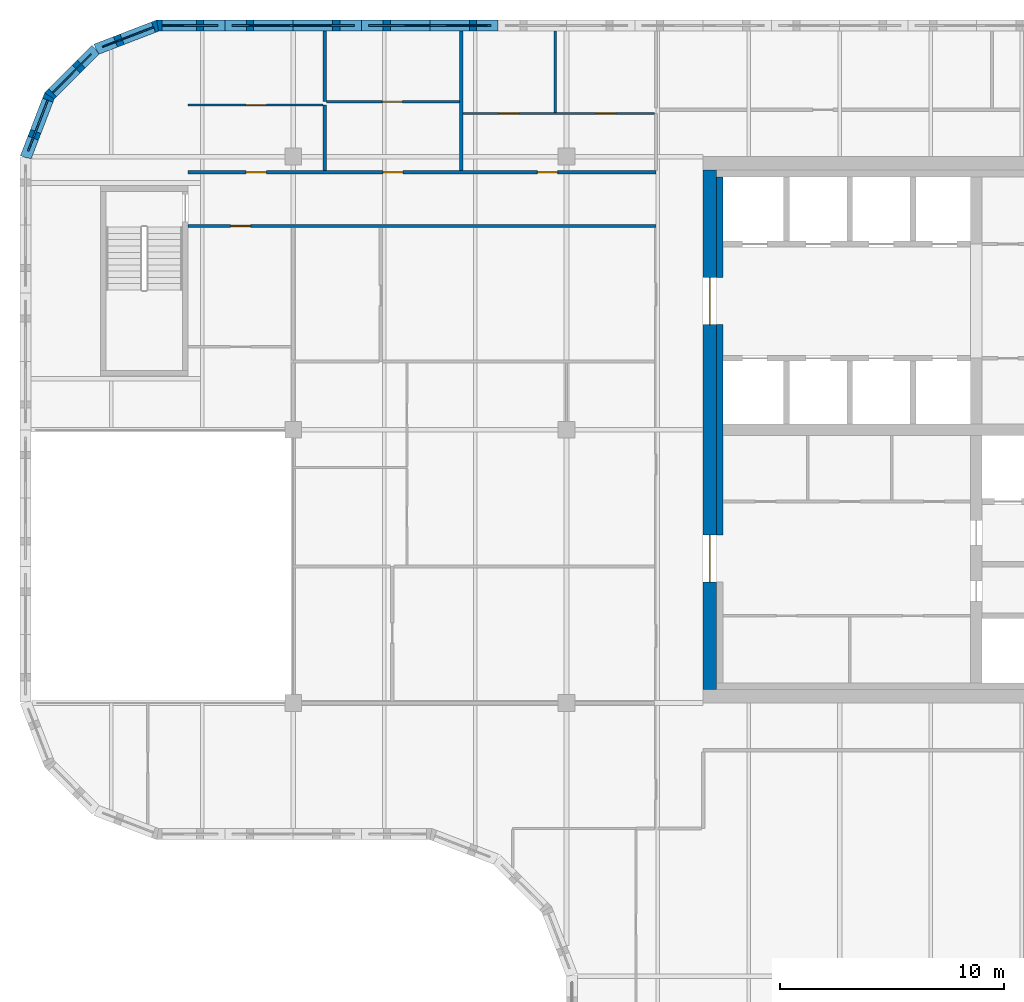
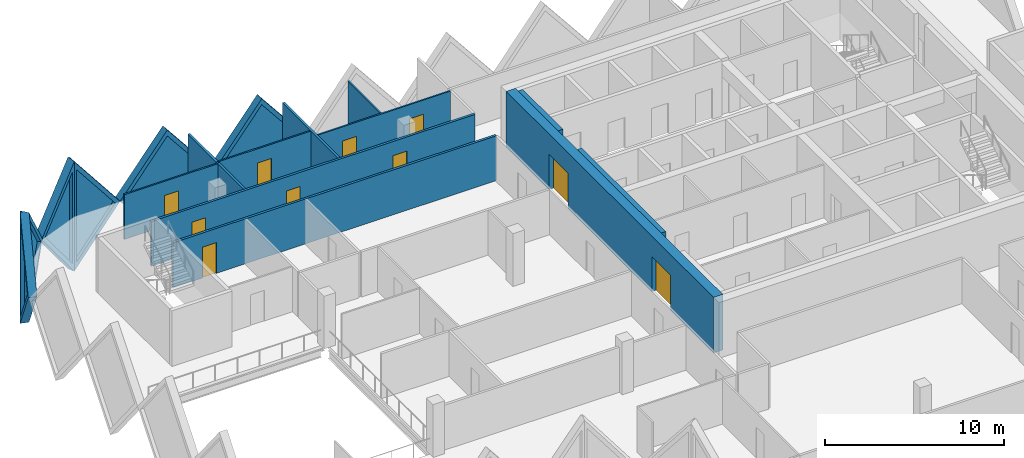
# One storey, part 7 of 11: 18 walls, 10 doors, 6 plates, 16 openings.
"""IFC4 building model written with IfcOpenShell, lengths in metres."""

from ifc_helpers import new_model, si_unit, direction, frame, frame_2d, origin, place, context, subcontext, project, spatial, polyline, rectangle, outline, extrude, faceted_brep, source, transform, mapped, material, layer, layer_set, type_object, element, fill, save


model = new_model("IFC4")

# Units and contexts
model_context = context("Model", 3, precision=1e-05, world=origin(), true_north=direction((0.0, 1.0)))
body_context = subcontext(model_context, "Body", "Model", "MODEL_VIEW")
ifc_project = project(units=[si_unit("LENGTHUNIT", "METRE"), si_unit("AREAUNIT", "SQUARE_METRE"), si_unit("VOLUMEUNIT", "CUBIC_METRE"), si_unit("PLANEANGLEUNIT", "RADIAN"), si_unit("MASSUNIT", "GRAM", prefix="KILO")], contexts=[model_context])

# Site, building, storey
site_placement = place(None, origin())
site = spatial("IfcSite", under=ifc_project, at=site_placement, CompositionType="ELEMENT")
building_placement = place(site_placement, origin())
building = spatial("IfcBuilding", under=site, at=building_placement, Name="Tessera Gate Towers", CompositionType="ELEMENT")
storey_placement = place(building_placement, frame((0.0, 0.0, 170.60009765625)))
storey = spatial("IfcBuildingStorey", under=building, at=storey_placement, Name="L42", CompositionType="ELEMENT", Elevation=170.60009765625)

# Wall, openings, doors
ifc_material_1 = material(Name="Concrete C50/60", Category="concrete")
ifc_layer_1 = layer(ifc_material_1, 0.60009765625)
ifc_layer_set_1 = layer_set([ifc_layer_1], Name="CORE SHEAR WALL 600 C50/60")
wall_type_1 = type_object("IfcWallType", Name="CORE SHEAR WALL 600 C50/60", PredefinedType="SHEAR", material=ifc_layer_set_1)
wall_1_placement = place(storey_placement, frame((30.800048828125, 25.0, 0.0), z_axis=(0.0, 0.0, 1.0), x_axis=(0.0, 1.0, 0.0)))
wall_1 = element("IfcWall", 1, at=wall_1_placement, inside=storey, type_object=wall_type_1, Name="Core wall W L42", PredefinedType="SHEAR", context=body_context, shape_type="SweptSolid", body=[
    extrude(rectangle(XDim=23.199951171875, YDim=0.60009765625, at=frame_2d((11.60009765625, 0.0))), origin(), (0.0, 0.0, 1.0), 3.7998046875),
])
shared_shape_1 = source(origin(), body_context, "Body", "SweptSolid", [
    extrude(rectangle(XDim=2.10009765625, YDim=2.39990234375, at=frame_2d((1.050048828125, 1.199951171875))), frame((0.0, 0.31005859375, 0.0), z_axis=(0.0, -1.0, 0.0), x_axis=(1.0, 0.0, 0.0)), (0.0, 0.0, 1.0), 0.6201171875),
])
opening_1_placement = place(wall_1_placement, frame((4.800048828125, 0.0, 0.0)))
opening_1 = element("IfcOpeningElement", 2, at=opening_1_placement, cuts=wall_1, Name="Opening DD-T1-27-02", PredefinedType="OPENING", context=body_context, shape_type="MappedRepresentation", body=[
    mapped(shared_shape_1, transform((0.0, 0.0, 0.0), scale=1.0)),
])
opening_2_placement = place(wall_1_placement, frame((16.300048828125, 0.0, 0.0)))
opening_2 = element("IfcOpeningElement", 3, at=opening_2_placement, cuts=wall_1, Name="Opening DD-T1-27-03", PredefinedType="OPENING", context=body_context, shape_type="MappedRepresentation", body=[
    mapped(shared_shape_1, transform((0.0, 0.0, 0.0), scale=1.0)),
])
ifc_material_2 = material(Name="Hollow steel fire door", Category="steel")
door_type_1 = type_object("IfcDoorType", Name="CORE DOOR DD 2100x2400", OperationType="NOTDEFINED", PredefinedType="DOOR", material=ifc_material_2)
shared_shape_2 = source(origin(), body_context, "Body", "SweptSolid", [
    extrude(rectangle(XDim=2.10009765625, YDim=2.39990234375, at=frame_2d((1.050048828125, 1.199951171875))), frame((0.0, 0.02490234375, 0.0), z_axis=(0.0, -1.0, 0.0), x_axis=(1.0, 0.0, 0.0)), (0.0, 0.0, 1.0), 0.050048828125),
])
door_1_placement = place(opening_1_placement, origin())
door_1 = element("IfcDoor", 4, at=door_1_placement, inside=storey, type_object=door_type_1, Name="Core entrance door", OperationType="DOUBLE_DOOR_SINGLE_SWING", OverallHeight=2.39990234375, OverallWidth=2.10009765625, PredefinedType="DOOR", context=body_context, shape_type="MappedRepresentation", body=[
    mapped(shared_shape_2, transform((0.0, 0.0, 0.0), scale=1.0)),
])
fill(opening_1, door_1)
door_2_placement = place(opening_2_placement, origin())
door_2 = element("IfcDoor", 5, at=door_2_placement, inside=storey, type_object=door_type_1, Name="Core entrance door", OperationType="DOUBLE_DOOR_SINGLE_SWING", OverallHeight=2.39990234375, OverallWidth=2.10009765625, PredefinedType="DOOR", context=body_context, shape_type="MappedRepresentation", body=[
    mapped(shared_shape_2, transform((0.0, 0.0, 0.0), scale=1.0)),
])
fill(opening_2, door_2)

# Walls
ifc_material_3 = material(Name="Concrete C50/60", Category="concrete")
ifc_layer_2 = layer(ifc_material_3, 0.300048828125)
ifc_layer_set_2 = layer_set([ifc_layer_2], Name="CORE WALL THICKENING 300")
wall_type_2 = type_object("IfcWallType", Name="CORE WALL THICKENING 300", PredefinedType="SOLIDWALL", material=ifc_layer_set_2)
wall_2_placement = place(storey_placement, frame((31.25, 31.89990234375, 0.0), z_axis=(0.0, 0.0, 1.0), x_axis=(0.0, 1.0, 0.0)))
element("IfcWall", 6, at=wall_2_placement, inside=storey, type_object=wall_type_2, Name="Core wall thickening W L42", PredefinedType="SOLIDWALL", context=body_context, shape_type="SweptSolid", body=[
    extrude(rectangle(XDim=9.400146484375, YDim=0.300048828125, at=frame_2d((4.7001953125, 0.0))), origin(), (0.0, 0.0, 1.0), 3.7998046875),
])
wall_3_placement = place(storey_placement, frame((31.25, 43.39990234375, 0.0), z_axis=(0.0, 0.0, 1.0), x_axis=(0.0, 1.0, 0.0)))
element("IfcWall", 7, at=wall_3_placement, inside=storey, type_object=wall_type_2, Name="Core wall thickening W L42", PredefinedType="SOLIDWALL", context=body_context, shape_type="SweptSolid", body=[
    extrude(rectangle(XDim=4.5, YDim=0.300048828125, at=frame_2d((2.25, 0.0))), origin(), (0.0, 0.0, 1.0), 3.7998046875),
])

# Wall, opening, door
ifc_material_4 = material(Name="Gypsum board on steel studs, mineral wool", Category="steel")
ifc_layer_3 = layer(ifc_material_4, 0.14990234375)
ifc_layer_set_3 = layer_set([ifc_layer_3], Name="CORRIDOR WALL 150")
wall_type_3 = type_object("IfcWallType", Name="CORRIDOR WALL 150", PredefinedType="PARTITIONING", material=ifc_layer_set_3)
wall_4_placement = place(storey_placement, frame((28.39990234375, 45.699951171875, 0.0), z_axis=(0.0, 0.0, 1.0), x_axis=(-1.0, 0.0, 0.0)))
wall_4 = element("IfcWall", 8, at=wall_4_placement, inside=storey, type_object=wall_type_3, Name="T1-L42-PW-040", PredefinedType="PARTITIONING", context=body_context, shape_type="SweptSolid", body=[
    extrude(rectangle(XDim=20.89990234375, YDim=0.14990234375, at=frame_2d((10.449951171875, 0.0))), origin(), (0.0, 0.0, 1.0), 3.06689453125),
])
shared_shape_3 = source(origin(), body_context, "Body", "SweptSolid", [
    extrude(rectangle(XDim=0.89990234375, YDim=2.10009765625, at=frame_2d((0.449951171875, 1.050048828125))), frame((0.0, 0.0849609375, 0.0), z_axis=(0.0, -1.0, 0.0), x_axis=(1.0, 0.0, 0.0)), (0.0, 0.0, 1.0), 0.169921875),
])
opening_3_placement = place(wall_4_placement, frame((18.10009765625, 0.0, 0.0)))
opening_3 = element("IfcOpeningElement", 9, at=opening_3_placement, cuts=wall_4, Name="Opening D890FD60-A15-02", PredefinedType="OPENING", context=body_context, shape_type="MappedRepresentation", body=[
    mapped(shared_shape_3, transform((0.0, 0.0, 0.0), scale=1.0)),
])
ifc_material_5 = material(Name="Timber door leaf in steel frame", Category="steel")
door_type_2 = type_object("IfcDoorType", Name="CORRIDOR DOOR 900 FD60", OperationType="NOTDEFINED", PredefinedType="DOOR", material=ifc_material_5)
shared_shape_4 = source(origin(), body_context, "Body", "SweptSolid", [
    extrude(rectangle(XDim=0.89990234375, YDim=2.10009765625, at=frame_2d((0.449951171875, 1.050048828125))), frame((0.0, 0.02490234375, 0.0), z_axis=(0.0, -1.0, 0.0), x_axis=(1.0, 0.0, 0.0)), (0.0, 0.0, 1.0), 0.050048828125),
])
door_3_placement = place(opening_3_placement, origin())
door_3 = element("IfcDoor", 10, at=door_3_placement, inside=storey, type_object=door_type_2, Name="T1-L42-PD-009", OperationType="SINGLE_SWING_RIGHT", OverallHeight=2.10009765625, OverallWidth=0.89990234375, PredefinedType="DOOR", context=body_context, shape_type="MappedRepresentation", body=[
    mapped(shared_shape_4, transform((0.0, 0.0, 0.0), scale=1.0)),
])
fill(opening_3, door_3)

# Wall, openings, doors
wall_5_placement = place(storey_placement, frame((7.5, 48.10009765625, 0.0), z_axis=(0.0, 0.0, 1.0), x_axis=(1.0, 0.0, 0.0)))
wall_5 = element("IfcWall", 11, at=wall_5_placement, inside=storey, type_object=wall_type_3, Name="T1-L42-PW-041", PredefinedType="PARTITIONING", context=body_context, shape_type="SweptSolid", body=[
    extrude(rectangle(XDim=20.89990234375, YDim=0.14990234375, at=frame_2d((10.449951171875, 0.0))), origin(), (0.0, 0.0, 1.0), 3.06689453125),
])
opening_4_placement = place(wall_5_placement, frame((8.700927734375, 0.0, 0.0)))
opening_4 = element("IfcOpeningElement", 12, at=opening_4_placement, cuts=wall_5, Name="Opening D890FD60-A15-04", PredefinedType="OPENING", context=body_context, shape_type="MappedRepresentation", body=[
    mapped(shared_shape_3, transform((0.0, 0.0, 0.0), scale=1.0)),
])
opening_5_placement = place(wall_5_placement, frame((2.60009765625, 0.0, 0.0)))
opening_5 = element("IfcOpeningElement", 13, at=opening_5_placement, cuts=wall_5, Name="Opening D890FD60-A15-05", PredefinedType="OPENING", context=body_context, shape_type="MappedRepresentation", body=[
    mapped(shared_shape_3, transform((0.0, 0.0, 0.0), scale=1.0)),
])
opening_6_placement = place(wall_5_placement, frame((15.60009765625, 0.0, 0.0)))
opening_6 = element("IfcOpeningElement", 14, at=opening_6_placement, cuts=wall_5, Name="Opening D890FD60-A15-07", PredefinedType="OPENING", context=body_context, shape_type="MappedRepresentation", body=[
    mapped(shared_shape_3, transform((0.0, 0.0, 0.0), scale=1.0)),
])
door_4_placement = place(opening_4_placement, origin())
door_4 = element("IfcDoor", 15, at=door_4_placement, inside=storey, type_object=door_type_2, Name="T1-L42-PD-019", OperationType="SINGLE_SWING_LEFT", OverallHeight=2.10009765625, OverallWidth=0.89990234375, PredefinedType="DOOR", context=body_context, shape_type="MappedRepresentation", body=[
    mapped(shared_shape_4, transform((0.0, 0.0, 0.0), scale=1.0)),
])
fill(opening_4, door_4)
door_5_placement = place(opening_5_placement, origin())
door_5 = element("IfcDoor", 16, at=door_5_placement, inside=storey, type_object=door_type_2, Name="T1-L42-PD-021", OperationType="SINGLE_SWING_LEFT", OverallHeight=2.10009765625, OverallWidth=0.89990234375, PredefinedType="DOOR", context=body_context, shape_type="MappedRepresentation", body=[
    mapped(shared_shape_4, transform((0.0, 0.0, 0.0), scale=1.0)),
])
fill(opening_5, door_5)
door_6_placement = place(opening_6_placement, origin())
door_6 = element("IfcDoor", 17, at=door_6_placement, inside=storey, type_object=door_type_2, Name="T1-L42-PD-024", OperationType="SINGLE_SWING_LEFT", OverallHeight=2.10009765625, OverallWidth=0.89990234375, PredefinedType="DOOR", context=body_context, shape_type="MappedRepresentation", body=[
    mapped(shared_shape_4, transform((0.0, 0.0, 0.0), scale=1.0)),
])
fill(opening_6, door_6)

ifc_material_6 = material(Name="Gypsum board on steel studs", Category="steel")
ifc_layer_4 = layer(ifc_material_6, 0.10009765625)
ifc_layer_set_4 = layer_set([ifc_layer_4], Name="PARTITION 100")
wall_type_4 = type_object("IfcWallType", Name="PARTITION 100", PredefinedType="PARTITIONING", material=ifc_layer_set_4)
wall_6_placement = place(storey_placement, frame((19.77587890625, 50.72509765625, 0.0), z_axis=(0.0, 0.0, 1.0), x_axis=(1.0, 0.0, 0.0)))
wall_6 = element("IfcWall", 18, at=wall_6_placement, inside=storey, type_object=wall_type_4, Name="T1-L42-PW-045", PredefinedType="PARTITIONING", context=body_context, shape_type="SweptSolid", body=[
    extrude(rectangle(XDim=8.548095703125, YDim=0.10009765625, at=frame_2d((4.27392578125, 0.0))), origin(), (0.0, 0.0, 1.0), 3.06689453125),
])
shared_shape_5 = source(origin(), body_context, "Body", "SweptSolid", [
    extrude(rectangle(XDim=0.89990234375, YDim=2.10009765625, at=frame_2d((0.449951171875, 1.050048828125))), frame((0.0, 0.06005859375, 0.0), z_axis=(0.0, -1.0, 0.0), x_axis=(1.0, 0.0, 0.0)), (0.0, 0.0, 1.0), 0.1201171875),
])
opening_7_placement = place(wall_6_placement, frame((1.60009765625, 0.0, 0.0)))
opening_7 = element("IfcOpeningElement", 19, at=opening_7_placement, cuts=wall_6, Name="Opening D190-A15-01", PredefinedType="OPENING", context=body_context, shape_type="MappedRepresentation", body=[
    mapped(shared_shape_5, transform((0.0, 0.0, 0.0), scale=1.0)),
])
opening_8_placement = place(wall_6_placement, frame((5.927001953125, 0.0, 0.0)))
opening_8 = element("IfcOpeningElement", 20, at=opening_8_placement, cuts=wall_6, Name="Opening D190-A15-04", PredefinedType="OPENING", context=body_context, shape_type="MappedRepresentation", body=[
    mapped(shared_shape_5, transform((0.0, 0.0, 0.0), scale=1.0)),
])
ifc_material_7 = material(Name="Timber door leaf in steel frame", Category="steel")
door_type_3 = type_object("IfcDoorType", Name="INTERNAL DOOR 900 NOT RATED", OperationType="NOTDEFINED", PredefinedType="DOOR", material=ifc_material_7)
door_7_placement = place(opening_7_placement, origin())
door_7 = element("IfcDoor", 21, at=door_7_placement, inside=storey, type_object=door_type_3, Name="T1-L42-PD-002", OperationType="SINGLE_SWING_LEFT", OverallHeight=2.10009765625, OverallWidth=0.89990234375, PredefinedType="DOOR", context=body_context, shape_type="MappedRepresentation", body=[
    mapped(shared_shape_4, transform((0.0, 0.0, 0.0), scale=1.0)),
])
fill(opening_7, door_7)
door_8_placement = place(opening_8_placement, origin())
door_8 = element("IfcDoor", 22, at=door_8_placement, inside=storey, type_object=door_type_3, Name="T1-L42-PD-005", OperationType="SINGLE_SWING_LEFT", OverallHeight=2.10009765625, OverallWidth=0.89990234375, PredefinedType="DOOR", context=body_context, shape_type="MappedRepresentation", body=[
    mapped(shared_shape_4, transform((0.0, 0.0, 0.0), scale=1.0)),
])
fill(opening_8, door_8)

# Wall
wall_7_placement = place(storey_placement, frame((23.903076171875, 50.77587890625, 0.0), z_axis=(0.0, 0.0, 1.0), x_axis=(0.0, 1.0, 0.0)))
element("IfcWall", 23, at=wall_7_placement, inside=storey, type_object=wall_type_4, Name="T1-L42-PW-046", PredefinedType="PARTITIONING", context=body_context, shape_type="SweptSolid", body=[
    extrude(rectangle(XDim=3.6240234375, YDim=0.10009765625, at=frame_2d((1.81201171875, 0.0))), origin(), (0.0, 0.0, 1.0), 3.06689453125),
])

# Wall, opening, door
wall_8_placement = place(storey_placement, frame((7.5, 51.10009765625, 0.0), z_axis=(0.0, 0.0, 1.0), x_axis=(1.0, 0.0, 0.0)))
wall_8 = element("IfcWall", 24, at=wall_8_placement, inside=storey, type_object=wall_type_4, Name="T1-L42-PW-050", PredefinedType="PARTITIONING", context=body_context, shape_type="SweptSolid", body=[
    extrude(rectangle(XDim=6.02392578125, YDim=0.10009765625, at=frame_2d((3.011962890625, 0.0))), origin(), (0.0, 0.0, 1.0), 3.06689453125),
])
opening_9_placement = place(wall_8_placement, frame((2.60009765625, 0.0, 0.0)))
opening_9 = element("IfcOpeningElement", 25, at=opening_9_placement, cuts=wall_8, Name="Opening D190-A15-11", PredefinedType="OPENING", context=body_context, shape_type="MappedRepresentation", body=[
    mapped(shared_shape_5, transform((0.0, 0.0, 0.0), scale=1.0)),
])
door_9_placement = place(opening_9_placement, origin())
door_9 = element("IfcDoor", 26, at=door_9_placement, inside=storey, type_object=door_type_3, Name="T1-L42-PD-017", OperationType="SINGLE_SWING_LEFT", OverallHeight=2.10009765625, OverallWidth=0.89990234375, PredefinedType="DOOR", context=body_context, shape_type="MappedRepresentation", body=[
    mapped(shared_shape_4, transform((0.0, 0.0, 0.0), scale=1.0)),
])
fill(opening_9, door_9)

wall_9_placement = place(storey_placement, frame((13.676025390625, 51.25, 0.0), z_axis=(0.0, 0.0, 1.0), x_axis=(1.0, 0.0, 0.0)))
wall_9 = element("IfcWall", 27, at=wall_9_placement, inside=storey, type_object=wall_type_4, Name="T1-L42-PW-052", PredefinedType="PARTITIONING", context=body_context, shape_type="SweptSolid", body=[
    extrude(rectangle(XDim=5.947998046875, YDim=0.10009765625, at=frame_2d((2.97412109375, 0.0))), origin(), (0.0, 0.0, 1.0), 3.06689453125),
])
opening_10_placement = place(wall_9_placement, frame((2.5, 0.0, 0.0)))
opening_10 = element("IfcOpeningElement", 28, at=opening_10_placement, cuts=wall_9, Name="Opening D190-A15-09", PredefinedType="OPENING", context=body_context, shape_type="MappedRepresentation", body=[
    mapped(shared_shape_5, transform((0.0, 0.0, 0.0), scale=1.0)),
])
door_10_placement = place(opening_10_placement, origin())
door_10 = element("IfcDoor", 29, at=door_10_placement, inside=storey, type_object=door_type_3, Name="T1-L42-PD-013", OperationType="SINGLE_SWING_LEFT", OverallHeight=2.10009765625, OverallWidth=0.89990234375, PredefinedType="DOOR", context=body_context, shape_type="MappedRepresentation", body=[
    mapped(shared_shape_4, transform((0.0, 0.0, 0.0), scale=1.0)),
])
fill(opening_10, door_10)

# Walls
ifc_material_8 = material(Name="Gypsum board on steel studs, mineral wool", Category="steel")
ifc_layer_5 = layer(ifc_material_8, 0.14990234375)
ifc_layer_set_5 = layer_set([ifc_layer_5], Name="TENANCY WALL 150")
wall_type_5 = type_object("IfcWallType", Name="TENANCY WALL 150", PredefinedType="PARTITIONING", material=ifc_layer_set_5)
wall_10_placement = place(storey_placement, frame((13.60009765625, 48.176025390625, 0.0), z_axis=(0.0, 0.0, 1.0), x_axis=(0.0, 1.0, 0.0)))
element("IfcWall", 30, at=wall_10_placement, inside=storey, type_object=wall_type_5, Name="T1-L42-PW-042", PredefinedType="PARTITIONING", context=body_context, shape_type="SweptSolid", body=[
    extrude(rectangle(XDim=2.924072265625, YDim=0.14990234375, at=frame_2d((1.4619140625, 0.0))), origin(), (0.0, 0.0, 1.0), 3.06689453125),
])
wall_11_placement = place(storey_placement, frame((19.699951171875, 48.176025390625, 0.0), z_axis=(0.0, 0.0, 1.0), x_axis=(0.0, 1.0, 0.0)))
element("IfcWall", 31, at=wall_11_placement, inside=storey, type_object=wall_type_5, Name="T1-L42-PW-043", PredefinedType="PARTITIONING", context=body_context, shape_type="SweptSolid", body=[
    extrude(rectangle(XDim=6.223876953125, YDim=0.14990234375, at=frame_2d((3.11181640625, 0.0))), origin(), (0.0, 0.0, 1.0), 3.06689453125),
])
wall_12_placement = place(storey_placement, frame((13.60009765625, 51.25, 0.0), z_axis=(0.0, 0.0, 1.0), x_axis=(0.0, 1.0, 0.0)))
element("IfcWall", 32, at=wall_12_placement, inside=storey, type_object=wall_type_5, Name="T1-L42-PW-051", PredefinedType="PARTITIONING", context=body_context, shape_type="SweptSolid", body=[
    extrude(rectangle(XDim=3.14990234375, YDim=0.14990234375, at=frame_2d((1.574951171875, 0.0))), origin(), (0.0, 0.0, 1.0), 3.06689453125),
])

# Wall, opening, plate
ifc_material_9 = material(Name="Precast concrete C60/75 white", Category="concrete")
ifc_layer_6 = layer(ifc_material_9, 0.5)
ifc_layer_set_6 = layer_set([ifc_layer_6], Name="TS1 tessera")
wall_type_6 = type_object("IfcWallType", Name="TS1 tessera", PredefinedType="SOLIDWALL", material=ifc_layer_set_6)
shared_shape_6 = source(origin(), body_context, "Body", "SweptSolid", [
    extrude(outline(polyline([(3.050048828125, 0.0), (6.10009765625, 3.800048828125), (3.050048828125, 7.599853515625), (0.0, 3.800048828125), (3.050048828125, 0.0)])), frame((0.0, 0.25, 0.0), z_axis=(0.0, -1.0, 0.0), x_axis=(1.0, 0.0, 0.0)), (0.0, 0.0, 1.0), 0.5),
])
wall_13_placement = place(storey_placement, frame((21.35009765625, 54.64990234375, -3.800048828125), z_axis=(0.0, 0.0, 1.0), x_axis=(-1.0, 0.0, 0.0)))
wall_13 = element("IfcWall", 33, at=wall_13_placement, inside=storey, type_object=wall_type_6, Name="Precast tessera T1 TS1-0728", PredefinedType="SOLIDWALL", context=body_context, shape_type="MappedRepresentation", body=[
    mapped(shared_shape_6, transform((0.0, 0.0, 0.0), scale=1.0)),
])
shared_shape_7 = source(origin(), body_context, "Body", "SweptSolid", [
    extrude(outline(polyline([(3.050048828125, 0.3994140625), (5.779541015625, 3.800048828125), (3.050048828125, 7.200439453125), (0.320556640625, 3.800048828125), (3.050048828125, 0.3994140625)])), frame((0.0, 0.260009765625, 0.0), z_axis=(0.0, -1.0, 0.0), x_axis=(1.0, 0.0, 0.0)), (0.0, 0.0, 1.0), 0.52001953125),
])
opening_11_placement = place(wall_13_placement, origin())
opening_11 = element("IfcOpeningElement", 34, at=opening_11_placement, cuts=wall_13, Name="Opening T1-PL2-1482", PredefinedType="OPENING", context=body_context, shape_type="MappedRepresentation", body=[
    mapped(shared_shape_7, transform((0.0, 0.0, 0.0), scale=1.0)),
])
ifc_material_10 = material(Name="Low-e laminated glass", Category="glass")
ifc_layer_7 = layer(ifc_material_10, 0.06005859375)
ifc_layer_set_7 = layer_set([ifc_layer_7], Name="PL2 rhombic pane")
plate_type = type_object("IfcPlateType", Name="PL2 rhombic pane", PredefinedType="SHEET", material=ifc_layer_set_7)
shared_shape_8 = source(origin(), body_context, "Body", "SweptSolid", [
    extrude(outline(polyline([(3.050048828125, 0.3994140625), (5.779541015625, 3.800048828125), (3.050048828125, 7.200439453125), (0.320556640625, 3.800048828125), (3.050048828125, 0.3994140625)])), frame((0.0, 0.030029296875, 0.0), z_axis=(0.0, -1.0, 0.0), x_axis=(1.0, 0.0, 0.0)), (0.0, 0.0, 1.0), 0.06005859375),
])
plate_1_placement = place(opening_11_placement, origin())
plate_1 = element("IfcPlate", 35, at=plate_1_placement, inside=storey, type_object=plate_type, Name="Glass pane T1 PL2-1482", PredefinedType="SHEET", context=body_context, shape_type="MappedRepresentation", body=[
    mapped(shared_shape_8, transform((0.0, 0.0, 0.0), scale=1.0)),
])
fill(opening_11, plate_1)

wall_14_placement = place(storey_placement, frame((15.25, 54.64990234375, -3.800048828125), z_axis=(0.0, 0.0, 1.0), x_axis=(-1.0, 0.0, 0.0)))
wall_14 = element("IfcWall", 36, at=wall_14_placement, inside=storey, type_object=wall_type_6, Name="Precast tessera T1 TS1-0729", PredefinedType="SOLIDWALL", context=body_context, shape_type="MappedRepresentation", body=[
    mapped(shared_shape_6, transform((0.0, 0.0, 0.0), scale=1.0)),
])
opening_12_placement = place(wall_14_placement, origin())
opening_12 = element("IfcOpeningElement", 37, at=opening_12_placement, cuts=wall_14, Name="Opening T1-PL2-1483", PredefinedType="OPENING", context=body_context, shape_type="MappedRepresentation", body=[
    mapped(shared_shape_7, transform((0.0, 0.0, 0.0), scale=1.0)),
])
plate_2_placement = place(opening_12_placement, origin())
plate_2 = element("IfcPlate", 38, at=plate_2_placement, inside=storey, type_object=plate_type, Name="Glass pane T1 PL2-1483", PredefinedType="SHEET", context=body_context, shape_type="MappedRepresentation", body=[
    mapped(shared_shape_8, transform((0.0, 0.0, 0.0), scale=1.0)),
])
fill(opening_12, plate_2)

ifc_material_11 = material(Name="Precast concrete C60/75 white", Category="concrete")
ifc_layer_8 = layer(ifc_material_11, 0.5)
ifc_layer_set_8 = layer_set([ifc_layer_8], Name="TS3 corner tessera")
wall_type_7 = type_object("IfcWallType", Name="TS3 corner tessera", PredefinedType="SOLIDWALL", material=ifc_layer_set_8)
shared_shape_9 = source(origin(), body_context, "Body", "Brep", [
    faceted_brep([(3.00341796875, -0.25, 0.0), (3.050048828125, -0.25, 0.06005859375), (3.050048828125, -0.25, 7.539794921875), (3.00341796875, -0.25, 7.599853515625), (0.0, -0.25, 3.800048828125), (0.0, 0.25, 3.800048828125), (2.956787109375, 0.25, 7.541015625), (2.956787109375, 0.25, 0.058837890625), (3.00341796875, 0.000244140625, 0.0), (3.00341796875, 0.000244140625, 7.599853515625)], [[[0, 1, 2, 3, 4]], [[5, 6, 7]], [[1, 0, 8]], [[9, 3, 2]], [[6, 5, 4, 3, 9]], [[5, 7, 8, 0, 4]], [[1, 8, 7, 6, 9, 2]]]),
])
wall_15_placement = place(storey_placement, frame((9.14990234375, 54.64990234375, -3.800048828125), z_axis=(0.0, 0.0, 1.0), x_axis=(-1.0, 0.0, 0.0)))
wall_15 = element("IfcWall", 39, at=wall_15_placement, inside=storey, type_object=wall_type_7, Name="Precast corner tessera T1 TS3-0971", PredefinedType="SOLIDWALL", context=body_context, shape_type="MappedRepresentation", body=[
    mapped(shared_shape_9, transform((0.0, 0.0, 0.0), scale=1.0)),
])
shared_shape_10 = source(origin(), body_context, "Body", "SweptSolid", [
    extrude(outline(polyline([(2.803466796875, 6.94384765625), (0.318603515625, 3.800048828125), (2.803466796875, 0.65625), (2.803466796875, 6.94384765625)])), frame((0.0, 0.260009765625, 0.0), z_axis=(0.0, -1.0, 0.0), x_axis=(1.0, 0.0, 0.0)), (0.0, 0.0, 1.0), 0.52001953125),
])
opening_13_placement = place(wall_15_placement, origin())
opening_13 = element("IfcOpeningElement", 40, at=opening_13_placement, cuts=wall_15, Name="Opening T1-PL2-1484", PredefinedType="OPENING", context=body_context, shape_type="MappedRepresentation", body=[
    mapped(shared_shape_10, transform((0.0, 0.0, 0.0), scale=1.0)),
])
shared_shape_11 = source(origin(), body_context, "Body", "SweptSolid", [
    extrude(outline(polyline([(2.803466796875, 6.94384765625), (0.318603515625, 3.800048828125), (2.803466796875, 0.65625), (2.803466796875, 6.94384765625)])), frame((0.0, 0.030029296875, 0.0), z_axis=(0.0, -1.0, 0.0), x_axis=(1.0, 0.0, 0.0)), (0.0, 0.0, 1.0), 0.06005859375),
])
plate_3_placement = place(opening_13_placement, origin())
plate_3 = element("IfcPlate", 41, at=plate_3_placement, inside=storey, type_object=plate_type, Name="Glass pane T1 PL2-1484", PredefinedType="SHEET", context=body_context, shape_type="MappedRepresentation", body=[
    mapped(shared_shape_11, transform((0.0, 0.0, 0.0), scale=1.0)),
])
fill(opening_13, plate_3)

shared_shape_12 = source(origin(), body_context, "Body", "Brep", [
    faceted_brep([(0.046630859375, -0.25, 0.0), (2.9970703125, -0.25, 3.800048828125), (0.046630859375, -0.25, 7.599853515625), (0.0, -0.25, 7.541015625), (0.0, -0.25, 0.058837890625), (0.09326171875, 0.25, 7.539794921875), (2.9443359375, 0.25, 3.8681640625), (2.9443359375, 0.25, 3.73193359375), (0.09326171875, 0.25, 0.06005859375), (2.9970703125, 0.00048828125, 3.800048828125), (0.046630859375, 0.0, 0.0), (0.046630859375, 0.0, 7.599853515625)], [[[0, 1, 2, 3, 4]], [[5, 6, 7, 8]], [[8, 7, 9, 1, 0, 10]], [[6, 5, 11, 2, 1, 9]], [[3, 2, 11]], [[10, 0, 4]], [[8, 10, 4, 3, 11, 5]], [[7, 6, 9]]]),
])
wall_16_placement = place(storey_placement, frame((6.18994140625, 54.666748046875, -3.800048828125), z_axis=(0.0, 0.0, 1.0), x_axis=(-0.932990326376, -0.359901446078, 0.0)))
wall_16 = element("IfcWall", 42, at=wall_16_placement, inside=storey, type_object=wall_type_7, Name="Precast corner tessera T1 TS3-0972", PredefinedType="SOLIDWALL", context=body_context, shape_type="MappedRepresentation", body=[
    mapped(shared_shape_12, transform((0.0, 0.0, 0.0), scale=1.0)),
])
shared_shape_13 = source(origin(), body_context, "Body", "SweptSolid", [
    extrude(outline(polyline([(0.24658203125, 0.665283203125), (2.6806640625, 3.800048828125), (0.24658203125, 6.934814453125), (0.24658203125, 0.665283203125)])), frame((0.0, 0.260009765625, 0.0), z_axis=(0.0, -1.0, 0.0), x_axis=(1.0, 0.0, 0.0)), (0.0, 0.0, 1.0), 0.52001953125),
])
opening_14_placement = place(wall_16_placement, origin())
opening_14 = element("IfcOpeningElement", 43, at=opening_14_placement, cuts=wall_16, Name="Opening T1-PL2-1485", PredefinedType="OPENING", context=body_context, shape_type="MappedRepresentation", body=[
    mapped(shared_shape_13, transform((0.0, 0.0, 0.0), scale=1.0)),
])
shared_shape_14 = source(origin(), body_context, "Body", "SweptSolid", [
    extrude(outline(polyline([(0.24658203125, 0.665283203125), (2.6806640625, 3.800048828125), (0.24658203125, 6.934814453125), (0.24658203125, 0.665283203125)])), frame((0.0, 0.030029296875, 0.0), z_axis=(0.0, -1.0, 0.0), x_axis=(1.0, 0.0, 0.0)), (0.0, 0.0, 1.0), 0.06005859375),
])
plate_4_placement = place(opening_14_placement, origin())
plate_4 = element("IfcPlate", 44, at=plate_4_placement, inside=storey, type_object=plate_type, Name="Glass pane T1 PL2-1485", PredefinedType="SHEET", context=body_context, shape_type="MappedRepresentation", body=[
    mapped(shared_shape_14, transform((0.0, 0.0, 0.0), scale=1.0)),
])
fill(opening_14, plate_4)

shared_shape_15 = source(origin(), body_context, "Body", "Brep", [
    faceted_brep([(0.052978515625, -0.25, 0.0), (3.00341796875, -0.25, 3.800048828125), (0.052978515625, -0.25, 7.599853515625), (0.0, -0.25, 7.531494140625), (0.0, -0.25, 0.068359375), (0.10595703125, 0.25, 7.53173828125), (2.95703125, 0.25, 3.85986328125), (2.95703125, 0.25, 3.740234375), (0.10595703125, 0.25, 0.068115234375), (3.00341796875, 0.00048828125, 3.800048828125), (0.052978515625, 0.0, 0.0), (0.052978515625, 0.0, 7.599853515625)], [[[0, 1, 2, 3, 4]], [[5, 6, 7, 8]], [[8, 7, 9, 1, 0, 10]], [[6, 5, 11, 2, 1, 9]], [[3, 2, 11]], [[10, 0, 4]], [[8, 10, 4, 3, 11, 5]], [[7, 6, 9]]]),
])
wall_17_placement = place(storey_placement, frame((1.3310546875, 51.5556640625, -3.800048828125), z_axis=(0.0, 0.0, 1.0), x_axis=(-0.35992665181, -0.932980602862, 0.0)))
wall_17 = element("IfcWall", 45, at=wall_17_placement, inside=storey, type_object=wall_type_7, Name="Precast corner tessera T1 TS3-0974", PredefinedType="SOLIDWALL", context=body_context, shape_type="MappedRepresentation", body=[
    mapped(shared_shape_15, transform((0.0, 0.0, 0.0), scale=1.0)),
])
shared_shape_16 = source(origin(), body_context, "Body", "SweptSolid", [
    extrude(outline(polyline([(0.2529296875, 0.665283203125), (2.68701171875, 3.800048828125), (0.2529296875, 6.934814453125), (0.2529296875, 0.665283203125)])), frame((0.0, 0.260009765625, 0.0), z_axis=(0.0, -1.0, 0.0), x_axis=(1.0, 0.0, 0.0)), (0.0, 0.0, 1.0), 0.52001953125),
])
opening_15_placement = place(wall_17_placement, origin())
opening_15 = element("IfcOpeningElement", 46, at=opening_15_placement, cuts=wall_17, Name="Opening T1-PL2-1487", PredefinedType="OPENING", context=body_context, shape_type="MappedRepresentation", body=[
    mapped(shared_shape_16, transform((0.0, 0.0, 0.0), scale=1.0)),
])
shared_shape_17 = source(origin(), body_context, "Body", "SweptSolid", [
    extrude(outline(polyline([(0.2529296875, 0.665283203125), (2.68701171875, 3.800048828125), (0.2529296875, 6.934814453125), (0.2529296875, 0.665283203125)])), frame((0.0, 0.030029296875, 0.0), z_axis=(0.0, -1.0, 0.0), x_axis=(1.0, 0.0, 0.0)), (0.0, 0.0, 1.0), 0.06005859375),
])
plate_5_placement = place(opening_15_placement, origin())
plate_5 = element("IfcPlate", 47, at=plate_5_placement, inside=storey, type_object=plate_type, Name="Glass pane T1 PL2-1487", PredefinedType="SHEET", context=body_context, shape_type="MappedRepresentation", body=[
    mapped(shared_shape_17, transform((0.0, 0.0, 0.0), scale=1.0)),
])
fill(opening_15, plate_5)

shared_shape_18 = source(origin(), body_context, "Body", "Brep", [
    faceted_brep([(2.944091796875, -0.25, 0.0), (2.9970703125, -0.25, 0.068115234375), (2.9970703125, -0.25, 7.53173828125), (2.944091796875, -0.25, 7.599853515625), (0.0, -0.25, 3.800048828125), (0.052978515625, 0.25, 3.868408203125), (2.89111328125, 0.25, 7.53173828125), (2.89111328125, 0.25, 0.068115234375), (0.052978515625, 0.25, 3.731689453125), (2.944091796875, 0.000244140625, 0.0), (2.944091796875, 0.000244140625, 7.599853515625), (0.0, 0.0, 3.800048828125)], [[[0, 1, 2, 3, 4]], [[5, 6, 7, 8]], [[1, 0, 9]], [[10, 3, 2]], [[6, 5, 11, 4, 3, 10]], [[8, 7, 9, 0, 4, 11]], [[8, 11, 5]], [[1, 9, 7, 6, 10, 2]]]),
])
wall_18_placement = place(storey_placement, frame((3.393798828125, 53.588134765625, -3.800048828125), z_axis=(0.0, 0.0, 1.0), x_axis=(-0.707106781187, -0.707106781187, 0.0)))
wall_18 = element("IfcWall", 48, at=wall_18_placement, inside=storey, type_object=wall_type_7, Name="Precast corner tessera T1 TS3-0973", PredefinedType="SOLIDWALL", context=body_context, shape_type="MappedRepresentation", body=[
    mapped(shared_shape_18, transform((0.0, 0.0, 0.0), scale=1.0)),
])
shared_shape_19 = source(origin(), body_context, "Body", "SweptSolid", [
    extrude(outline(polyline([(2.744140625, 6.93359375), (0.316162109375, 3.800048828125), (2.744140625, 0.666259765625), (2.744140625, 6.93359375)])), frame((0.0, 0.260009765625, 0.0), z_axis=(0.0, -1.0, 0.0), x_axis=(1.0, 0.0, 0.0)), (0.0, 0.0, 1.0), 0.52001953125),
])
opening_16_placement = place(wall_18_placement, origin())
opening_16 = element("IfcOpeningElement", 49, at=opening_16_placement, cuts=wall_18, Name="Opening T1-PL2-1486", PredefinedType="OPENING", context=body_context, shape_type="MappedRepresentation", body=[
    mapped(shared_shape_19, transform((0.0, 0.0, 0.0), scale=1.0)),
])
shared_shape_20 = source(origin(), body_context, "Body", "SweptSolid", [
    extrude(outline(polyline([(2.744140625, 6.93359375), (0.316162109375, 3.800048828125), (2.744140625, 0.666259765625), (2.744140625, 6.93359375)])), frame((0.0, 0.030029296875, 0.0), z_axis=(0.0, -1.0, 0.0), x_axis=(1.0, 0.0, 0.0)), (0.0, 0.0, 1.0), 0.06005859375),
])
plate_6_placement = place(opening_16_placement, origin())
plate_6 = element("IfcPlate", 50, at=plate_6_placement, inside=storey, type_object=plate_type, Name="Glass pane T1 PL2-1486", PredefinedType="SHEET", context=body_context, shape_type="MappedRepresentation", body=[
    mapped(shared_shape_20, transform((0.0, 0.0, 0.0), scale=1.0)),
])
fill(opening_16, plate_6)

save(model, "model.ifc")
